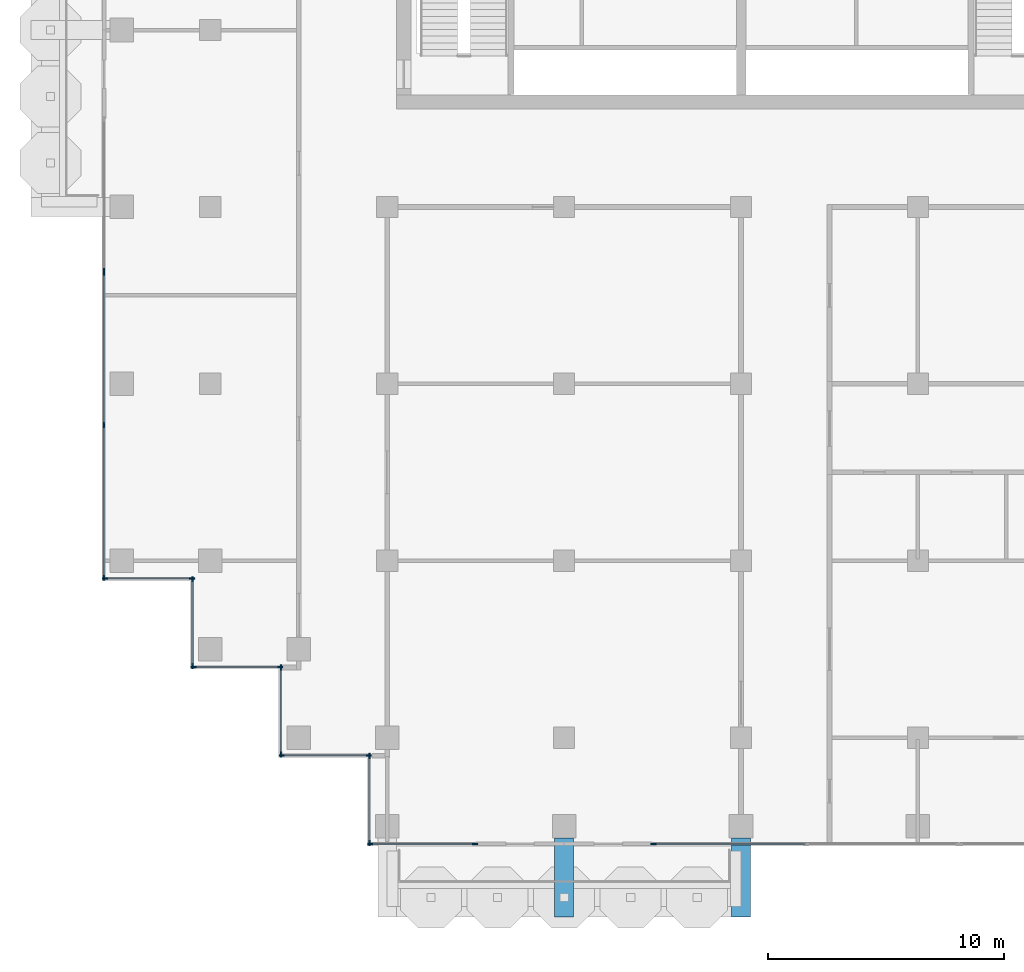
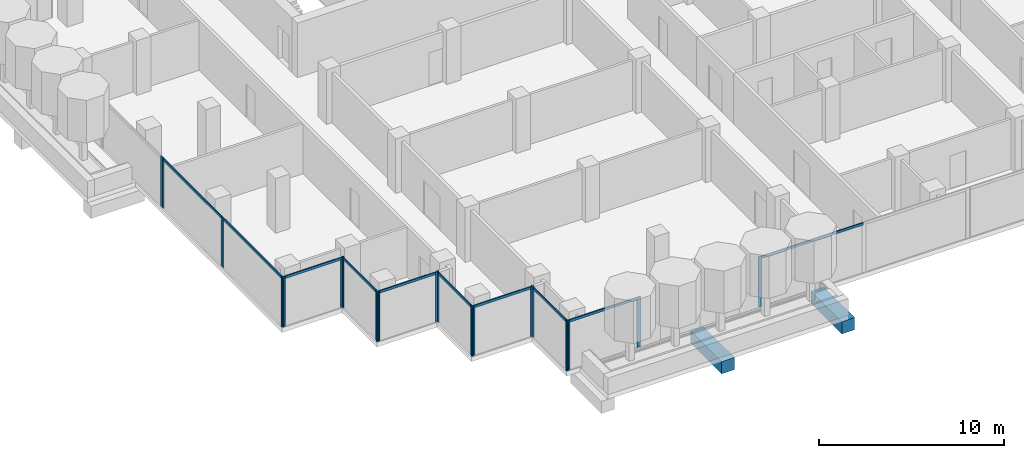
# One storey, part 2 of 18: 29 members, 2 beams, 10 elements without a shape of their own.
"""IFC4 building model written with IfcOpenShell, lengths in metres."""

from ifc_helpers import new_model, si_unit, direction, frame, origin, origin_2d, place, context, subcontext, project, spatial, rectangle, extrude, material, material_profile, profile_set, type_object, element, aggregate, save


model = new_model("IFC4")

# Units and contexts
model_context = context("Model", 3, precision=1e-05, world=origin(), true_north=direction((0.0, 1.0)))
body_context = subcontext(model_context, "Body", "Model", "MODEL_VIEW")
ifc_project = project(units=[si_unit("LENGTHUNIT", "METRE"), si_unit("AREAUNIT", "SQUARE_METRE"), si_unit("VOLUMEUNIT", "CUBIC_METRE"), si_unit("PLANEANGLEUNIT", "RADIAN"), si_unit("MASSUNIT", "GRAM", prefix="KILO")], contexts=[model_context])

# Site, building, storey
site_placement = place(None, origin())
site = spatial("IfcSite", under=ifc_project, at=site_placement, CompositionType="ELEMENT")
building_placement = place(site_placement, origin())
building = spatial("IfcBuilding", under=site, at=building_placement, Name="Pilkhan Gate Tower", CompositionType="ELEMENT")
storey_placement = place(building_placement, frame((0.0, 0.0, 221.10009765625)))
storey = spatial("IfcBuildingStorey", under=building, at=storey_placement, Name="L57", CompositionType="ELEMENT", Elevation=221.10009765625)

# Beams
ifc_material_1 = material(Name="Concrete C50/60", Category="concrete")
ifc_material_profile_1 = material_profile(ifc_material_1, rectangle(XDim=0.800048828125, YDim=0.800048828125, at=origin_2d()), Name="RC 800x800")
ifc_profile_set_1 = profile_set([ifc_material_profile_1], Name="Concrete C50/60")
beam_type = type_object("IfcBeamType", Name="Cantilever beam CB2 RC 800x800 C50/60", PredefinedType="BEAM", material=ifc_profile_set_1)
for number, where, z_axis, x_axis, name in (
    (1, (67.5, 40.75, -0.7001953125), (0.0, -1.0, 0.0), (1.0, 0.0, 0.0), "Balcony beam S.2 L57"),
    (2, (75.0, 40.75, -0.7001953125), (0.0, -1.0, 0.0), (1.0, 0.0, 0.0), "Balcony beam S.3 L57"),
):
    element("IfcBeam", number, at=place(storey_placement, frame(where, z_axis=z_axis, x_axis=x_axis)), inside=storey, type_object=beam_type, Name=name, PredefinedType="BEAM", context=body_context, shape_type="SweptSolid", body=[
        extrude(rectangle(XDim=0.800048828125, YDim=0.800048828125, at=origin_2d()), origin(), (0.0, 0.0, 1.0), 3.35009765625),
    ])

# Curtain wall, members
ifc_material_2 = material(Name="Pale anodised aluminium, clear low-iron double glazing", Category="aluminium")
curtain_wall_type = type_object("IfcCurtainWallType", Name="Office unitised curtain wall CW-O2", PredefinedType="USERDEFINED", material=ifc_material_2)
curtain_wall_1_placement = place(storey_placement, origin())
curtain_wall_1 = element("IfcCurtainWall", 3, at=curtain_wall_1_placement, inside=storey, type_object=curtain_wall_type, Name="Office unitised curtain wall CW-O2 L57 W", ObjectType="UNITISED CURTAIN WALL", PredefinedType="USERDEFINED")
ifc_material_3 = material(Name="Pale anodised aluminium", Category="aluminium")
ifc_material_profile_2 = material_profile(ifc_material_3, rectangle(XDim=0.06494140625, YDim=0.22509765625, at=origin_2d()), Name="Mullion 225x65")
ifc_profile_set_2 = profile_set([ifc_material_profile_2], Name="Pale anodised aluminium")
member_type_1 = type_object("IfcMemberType", Name="Mullion CW-O2 225x65", PredefinedType="MULLION", material=ifc_profile_set_2)
member_1_placement = place(storey_placement, frame((48.0, 51.782470703125, 0.0), z_axis=(0.0, 0.0, 1.0), x_axis=(-1.0, 0.0, 0.0)))
member_1 = element("IfcMember", 4, at=member_1_placement, type_object=member_type_1, Name="CW-O2 mullion 1", PredefinedType="MULLION", context=body_context, shape_type="SweptSolid", body=[
    extrude(rectangle(XDim=0.06494140625, YDim=0.22509765625, at=origin_2d()), origin(), (0.0, 0.0, 1.0), 3.2998046875),
])
member_2_placement = place(storey_placement, frame((48.0, 58.25, 0.0), z_axis=(0.0, 0.0, 1.0), x_axis=(-1.0, 0.0, 0.0)))
member_2 = element("IfcMember", 5, at=member_2_placement, type_object=member_type_1, Name="CW-O2 mullion 2", PredefinedType="MULLION", context=body_context, shape_type="SweptSolid", body=[
    extrude(rectangle(XDim=0.06494140625, YDim=0.22509765625, at=origin_2d()), origin(), (0.0, 0.0, 1.0), 3.2998046875),
])
member_3_placement = place(storey_placement, frame((48.0, 64.717529296875, 0.0), z_axis=(0.0, 0.0, 1.0), x_axis=(-1.0, 0.0, 0.0)))
member_3 = element("IfcMember", 6, at=member_3_placement, type_object=member_type_1, Name="CW-O2 mullion 3", PredefinedType="MULLION", context=body_context, shape_type="SweptSolid", body=[
    extrude(rectangle(XDim=0.06494140625, YDim=0.22509765625, at=origin_2d()), origin(), (0.0, 0.0, 1.0), 3.2998046875),
])

# Curtain wall, member
curtain_wall_2_placement = place(storey_placement, origin())
curtain_wall_2 = element("IfcCurtainWall", 7, at=curtain_wall_2_placement, inside=storey, type_object=curtain_wall_type, Name="Office unitised curtain wall CW-O2 L57 W", ObjectType="UNITISED CURTAIN WALL", PredefinedType="USERDEFINED")
member_4_placement = place(storey_placement, frame((48.0, 64.782470703125, 0.0), z_axis=(0.0, 0.0, 1.0), x_axis=(-1.0, 0.0, 0.0)))
member_4 = element("IfcMember", 8, at=member_4_placement, type_object=member_type_1, Name="CW-O2 mullion 1", PredefinedType="MULLION", context=body_context, shape_type="SweptSolid", body=[
    extrude(rectangle(XDim=0.06494140625, YDim=0.22509765625, at=origin_2d()), origin(), (0.0, 0.0, 1.0), 3.2998046875),
])
aggregate(curtain_wall_2, [member_4])

# Curtain wall, members
curtain_wall_3_placement = place(storey_placement, origin())
curtain_wall_3 = element("IfcCurtainWall", 9, at=curtain_wall_3_placement, inside=storey, type_object=curtain_wall_type, Name="Office unitised curtain wall CW-O2 L57 S", ObjectType="UNITISED CURTAIN WALL", PredefinedType="USERDEFINED")
member_5_placement = place(storey_placement, frame((48.032470703125, 51.75, 0.0), z_axis=(0.0, 0.0, 1.0), x_axis=(0.0, 1.0, 0.0)))
member_5 = element("IfcMember", 10, at=member_5_placement, type_object=member_type_1, Name="CW-O2 mullion 1", PredefinedType="MULLION", context=body_context, shape_type="SweptSolid", body=[
    extrude(rectangle(XDim=0.06494140625, YDim=0.22509765625, at=origin_2d()), origin(), (0.0, 0.0, 1.0), 3.2998046875),
])
member_6_placement = place(storey_placement, frame((51.717529296875, 51.75, 0.0), z_axis=(0.0, 0.0, 1.0), x_axis=(0.0, 1.0, 0.0)))
member_6 = element("IfcMember", 11, at=member_6_placement, type_object=member_type_1, Name="CW-O2 mullion 2", PredefinedType="MULLION", context=body_context, shape_type="SweptSolid", body=[
    extrude(rectangle(XDim=0.06494140625, YDim=0.22509765625, at=origin_2d()), origin(), (0.0, 0.0, 1.0), 3.2998046875),
])

curtain_wall_4_placement = place(storey_placement, origin())
curtain_wall_4 = element("IfcCurtainWall", 12, at=curtain_wall_4_placement, inside=storey, type_object=curtain_wall_type, Name="Office unitised curtain wall CW-O2 L57 W", ObjectType="UNITISED CURTAIN WALL", PredefinedType="USERDEFINED")
member_7_placement = place(storey_placement, frame((51.75, 48.032470703125, 0.0), z_axis=(0.0, 0.0, 1.0), x_axis=(-1.0, 0.0, 0.0)))
member_7 = element("IfcMember", 13, at=member_7_placement, type_object=member_type_1, Name="CW-O2 mullion 1", PredefinedType="MULLION", context=body_context, shape_type="SweptSolid", body=[
    extrude(rectangle(XDim=0.06494140625, YDim=0.22509765625, at=origin_2d()), origin(), (0.0, 0.0, 1.0), 3.2998046875),
])
member_8_placement = place(storey_placement, frame((51.75, 51.717529296875, 0.0), z_axis=(0.0, 0.0, 1.0), x_axis=(-1.0, 0.0, 0.0)))
member_8 = element("IfcMember", 14, at=member_8_placement, type_object=member_type_1, Name="CW-O2 mullion 2", PredefinedType="MULLION", context=body_context, shape_type="SweptSolid", body=[
    extrude(rectangle(XDim=0.06494140625, YDim=0.22509765625, at=origin_2d()), origin(), (0.0, 0.0, 1.0), 3.2998046875),
])

curtain_wall_5_placement = place(storey_placement, origin())
curtain_wall_5 = element("IfcCurtainWall", 15, at=curtain_wall_5_placement, inside=storey, type_object=curtain_wall_type, Name="Office unitised curtain wall CW-O2 L57 S", ObjectType="UNITISED CURTAIN WALL", PredefinedType="USERDEFINED")
member_9_placement = place(storey_placement, frame((51.782470703125, 48.0, 0.0), z_axis=(0.0, 0.0, 1.0), x_axis=(0.0, 1.0, 0.0)))
member_9 = element("IfcMember", 16, at=member_9_placement, type_object=member_type_1, Name="CW-O2 mullion 1", PredefinedType="MULLION", context=body_context, shape_type="SweptSolid", body=[
    extrude(rectangle(XDim=0.06494140625, YDim=0.22509765625, at=origin_2d()), origin(), (0.0, 0.0, 1.0), 3.2998046875),
])
member_10_placement = place(storey_placement, frame((55.467529296875, 48.0, 0.0), z_axis=(0.0, 0.0, 1.0), x_axis=(0.0, 1.0, 0.0)))
member_10 = element("IfcMember", 17, at=member_10_placement, type_object=member_type_1, Name="CW-O2 mullion 2", PredefinedType="MULLION", context=body_context, shape_type="SweptSolid", body=[
    extrude(rectangle(XDim=0.06494140625, YDim=0.22509765625, at=origin_2d()), origin(), (0.0, 0.0, 1.0), 3.2998046875),
])

curtain_wall_6_placement = place(storey_placement, origin())
curtain_wall_6 = element("IfcCurtainWall", 18, at=curtain_wall_6_placement, inside=storey, type_object=curtain_wall_type, Name="Office unitised curtain wall CW-O2 L57 W", ObjectType="UNITISED CURTAIN WALL", PredefinedType="USERDEFINED")
member_11_placement = place(storey_placement, frame((55.5, 44.282470703125, 0.0), z_axis=(0.0, 0.0, 1.0), x_axis=(-1.0, 0.0, 0.0)))
member_11 = element("IfcMember", 19, at=member_11_placement, type_object=member_type_1, Name="CW-O2 mullion 1", PredefinedType="MULLION", context=body_context, shape_type="SweptSolid", body=[
    extrude(rectangle(XDim=0.06494140625, YDim=0.22509765625, at=origin_2d()), origin(), (0.0, 0.0, 1.0), 3.2998046875),
])
member_12_placement = place(storey_placement, frame((55.5, 47.967529296875, 0.0), z_axis=(0.0, 0.0, 1.0), x_axis=(-1.0, 0.0, 0.0)))
member_12 = element("IfcMember", 20, at=member_12_placement, type_object=member_type_1, Name="CW-O2 mullion 2", PredefinedType="MULLION", context=body_context, shape_type="SweptSolid", body=[
    extrude(rectangle(XDim=0.06494140625, YDim=0.22509765625, at=origin_2d()), origin(), (0.0, 0.0, 1.0), 3.2998046875),
])

curtain_wall_7_placement = place(storey_placement, origin())
curtain_wall_7 = element("IfcCurtainWall", 21, at=curtain_wall_7_placement, inside=storey, type_object=curtain_wall_type, Name="Office unitised curtain wall CW-O2 L57 S", ObjectType="UNITISED CURTAIN WALL", PredefinedType="USERDEFINED")
member_13_placement = place(storey_placement, frame((55.532470703125, 44.25, 0.0), z_axis=(0.0, 0.0, 1.0), x_axis=(0.0, 1.0, 0.0)))
member_13 = element("IfcMember", 22, at=member_13_placement, type_object=member_type_1, Name="CW-O2 mullion 1", PredefinedType="MULLION", context=body_context, shape_type="SweptSolid", body=[
    extrude(rectangle(XDim=0.06494140625, YDim=0.22509765625, at=origin_2d()), origin(), (0.0, 0.0, 1.0), 3.2998046875),
])
member_14_placement = place(storey_placement, frame((59.217529296875, 44.25, 0.0), z_axis=(0.0, 0.0, 1.0), x_axis=(0.0, 1.0, 0.0)))
member_14 = element("IfcMember", 23, at=member_14_placement, type_object=member_type_1, Name="CW-O2 mullion 2", PredefinedType="MULLION", context=body_context, shape_type="SweptSolid", body=[
    extrude(rectangle(XDim=0.06494140625, YDim=0.22509765625, at=origin_2d()), origin(), (0.0, 0.0, 1.0), 3.2998046875),
])

curtain_wall_8_placement = place(storey_placement, origin())
curtain_wall_8 = element("IfcCurtainWall", 24, at=curtain_wall_8_placement, inside=storey, type_object=curtain_wall_type, Name="Office unitised curtain wall CW-O2 L57 W", ObjectType="UNITISED CURTAIN WALL", PredefinedType="USERDEFINED")
member_15_placement = place(storey_placement, frame((59.25, 40.532470703125, 0.0), z_axis=(0.0, 0.0, 1.0), x_axis=(-1.0, 0.0, 0.0)))
member_15 = element("IfcMember", 25, at=member_15_placement, type_object=member_type_1, Name="CW-O2 mullion 1", PredefinedType="MULLION", context=body_context, shape_type="SweptSolid", body=[
    extrude(rectangle(XDim=0.06494140625, YDim=0.22509765625, at=origin_2d()), origin(), (0.0, 0.0, 1.0), 3.2998046875),
])
member_16_placement = place(storey_placement, frame((59.25, 44.217529296875, 0.0), z_axis=(0.0, 0.0, 1.0), x_axis=(-1.0, 0.0, 0.0)))
member_16 = element("IfcMember", 26, at=member_16_placement, type_object=member_type_1, Name="CW-O2 mullion 2", PredefinedType="MULLION", context=body_context, shape_type="SweptSolid", body=[
    extrude(rectangle(XDim=0.06494140625, YDim=0.22509765625, at=origin_2d()), origin(), (0.0, 0.0, 1.0), 3.2998046875),
])

curtain_wall_9_placement = place(storey_placement, origin())
curtain_wall_9 = element("IfcCurtainWall", 27, at=curtain_wall_9_placement, inside=storey, type_object=curtain_wall_type, Name="Office unitised curtain wall CW-O2 L57 S", ObjectType="UNITISED CURTAIN WALL", PredefinedType="USERDEFINED")
member_17_placement = place(storey_placement, frame((59.282470703125, 40.5, 0.0), z_axis=(0.0, 0.0, 1.0), x_axis=(0.0, 1.0, 0.0)))
member_17 = element("IfcMember", 28, at=member_17_placement, type_object=member_type_1, Name="CW-O2 mullion 1", PredefinedType="MULLION", context=body_context, shape_type="SweptSolid", body=[
    extrude(rectangle(XDim=0.06494140625, YDim=0.22509765625, at=origin_2d()), origin(), (0.0, 0.0, 1.0), 3.2998046875),
])
member_18_placement = place(storey_placement, frame((63.717529296875, 40.5, 0.0), z_axis=(0.0, 0.0, 1.0), x_axis=(0.0, 1.0, 0.0)))
member_18 = element("IfcMember", 29, at=member_18_placement, type_object=member_type_1, Name="CW-O2 mullion 2", PredefinedType="MULLION", context=body_context, shape_type="SweptSolid", body=[
    extrude(rectangle(XDim=0.06494140625, YDim=0.22509765625, at=origin_2d()), origin(), (0.0, 0.0, 1.0), 3.2998046875),
])

# Curtain wall, member
curtain_wall_10_placement = place(storey_placement, origin())
curtain_wall_10 = element("IfcCurtainWall", 30, at=curtain_wall_10_placement, inside=storey, type_object=curtain_wall_type, Name="Office unitised curtain wall CW-O2 L57 S", ObjectType="UNITISED CURTAIN WALL", PredefinedType="USERDEFINED")
member_19_placement = place(storey_placement, frame((71.282470703125, 40.5, 0.0), z_axis=(0.0, 0.0, 1.0), x_axis=(0.0, 1.0, 0.0)))
member_19 = element("IfcMember", 31, at=member_19_placement, type_object=member_type_1, Name="CW-O2 mullion 1", PredefinedType="MULLION", context=body_context, shape_type="SweptSolid", body=[
    extrude(rectangle(XDim=0.06494140625, YDim=0.22509765625, at=origin_2d()), origin(), (0.0, 0.0, 1.0), 3.2998046875),
])

# Member
ifc_material_profile_3 = material_profile(ifc_material_3, rectangle(XDim=0.06494140625, YDim=0.1650390625, at=origin_2d()), Name="Transom 165x65")
ifc_profile_set_3 = profile_set([ifc_material_profile_3], Name="Pale anodised aluminium")
member_type_2 = type_object("IfcMemberType", Name="Transom CW-O2 165x65", PredefinedType="USERDEFINED", material=ifc_profile_set_3)
member_20_placement = place(storey_placement, frame((48.0, 51.81494140625, 3.21728515625), z_axis=(0.0, 1.0, 0.0), x_axis=(-1.0, 0.0, 0.0)))
member_20 = element("IfcMember", 32, at=member_20_placement, type_object=member_type_2, Name="CW-O2 transom 1", ObjectType="TRANSOM", PredefinedType="USERDEFINED", context=body_context, shape_type="SweptSolid", body=[
    extrude(rectangle(XDim=0.06494140625, YDim=0.1650390625, at=origin_2d()), origin(), (0.0, 0.0, 1.0), 6.402587890625),
])

member_21_placement = place(storey_placement, frame((48.0, 58.282470703125, 3.21728515625), z_axis=(0.0, 1.0, 0.0), x_axis=(-1.0, 0.0, 0.0)))
member_21 = element("IfcMember", 33, at=member_21_placement, type_object=member_type_2, Name="CW-O2 transom 2", ObjectType="TRANSOM", PredefinedType="USERDEFINED", context=body_context, shape_type="SweptSolid", body=[
    extrude(rectangle(XDim=0.06494140625, YDim=0.1650390625, at=origin_2d()), origin(), (0.0, 0.0, 1.0), 6.402587890625),
])

aggregate(curtain_wall_1, [member_1, member_2, member_3, member_20, member_21])

member_22_placement = place(storey_placement, frame((48.06494140625, 51.75, 3.21728515625), z_axis=(1.0, 0.0, 0.0), x_axis=(0.0, 1.0, 0.0)))
member_22 = element("IfcMember", 34, at=member_22_placement, type_object=member_type_2, Name="CW-O2 transom 1", ObjectType="TRANSOM", PredefinedType="USERDEFINED", context=body_context, shape_type="SweptSolid", body=[
    extrude(rectangle(XDim=0.06494140625, YDim=0.1650390625, at=origin_2d()), origin(), (0.0, 0.0, 1.0), 3.6201171875),
])

aggregate(curtain_wall_3, [member_5, member_6, member_22])

member_23_placement = place(storey_placement, frame((51.75, 48.06494140625, 3.21728515625), z_axis=(0.0, 1.0, 0.0), x_axis=(-1.0, 0.0, 0.0)))
member_23 = element("IfcMember", 35, at=member_23_placement, type_object=member_type_2, Name="CW-O2 transom 1", ObjectType="TRANSOM", PredefinedType="USERDEFINED", context=body_context, shape_type="SweptSolid", body=[
    extrude(rectangle(XDim=0.06494140625, YDim=0.1650390625, at=origin_2d()), origin(), (0.0, 0.0, 1.0), 3.6201171875),
])

aggregate(curtain_wall_4, [member_7, member_8, member_23])

member_24_placement = place(storey_placement, frame((51.81494140625, 48.0, 3.21728515625), z_axis=(1.0, 0.0, 0.0), x_axis=(0.0, 1.0, 0.0)))
member_24 = element("IfcMember", 36, at=member_24_placement, type_object=member_type_2, Name="CW-O2 transom 1", ObjectType="TRANSOM", PredefinedType="USERDEFINED", context=body_context, shape_type="SweptSolid", body=[
    extrude(rectangle(XDim=0.06494140625, YDim=0.1650390625, at=origin_2d()), origin(), (0.0, 0.0, 1.0), 3.6201171875),
])

aggregate(curtain_wall_5, [member_9, member_10, member_24])

member_25_placement = place(storey_placement, frame((55.5, 44.31494140625, 3.21728515625), z_axis=(0.0, 1.0, 0.0), x_axis=(-1.0, 0.0, 0.0)))
member_25 = element("IfcMember", 37, at=member_25_placement, type_object=member_type_2, Name="CW-O2 transom 1", ObjectType="TRANSOM", PredefinedType="USERDEFINED", context=body_context, shape_type="SweptSolid", body=[
    extrude(rectangle(XDim=0.06494140625, YDim=0.1650390625, at=origin_2d()), origin(), (0.0, 0.0, 1.0), 3.6201171875),
])

aggregate(curtain_wall_6, [member_11, member_12, member_25])

member_26_placement = place(storey_placement, frame((55.56494140625, 44.25, 3.21728515625), z_axis=(1.0, 0.0, 0.0), x_axis=(0.0, 1.0, 0.0)))
member_26 = element("IfcMember", 38, at=member_26_placement, type_object=member_type_2, Name="CW-O2 transom 1", ObjectType="TRANSOM", PredefinedType="USERDEFINED", context=body_context, shape_type="SweptSolid", body=[
    extrude(rectangle(XDim=0.06494140625, YDim=0.1650390625, at=origin_2d()), origin(), (0.0, 0.0, 1.0), 3.6201171875),
])

aggregate(curtain_wall_7, [member_13, member_14, member_26])

member_27_placement = place(storey_placement, frame((59.25, 40.56494140625, 3.21728515625), z_axis=(0.0, 1.0, 0.0), x_axis=(-1.0, 0.0, 0.0)))
member_27 = element("IfcMember", 39, at=member_27_placement, type_object=member_type_2, Name="CW-O2 transom 1", ObjectType="TRANSOM", PredefinedType="USERDEFINED", context=body_context, shape_type="SweptSolid", body=[
    extrude(rectangle(XDim=0.06494140625, YDim=0.1650390625, at=origin_2d()), origin(), (0.0, 0.0, 1.0), 3.6201171875),
])

aggregate(curtain_wall_8, [member_15, member_16, member_27])

member_28_placement = place(storey_placement, frame((59.31494140625, 40.5, 3.21728515625), z_axis=(1.0, 0.0, 0.0), x_axis=(0.0, 1.0, 0.0)))
member_28 = element("IfcMember", 40, at=member_28_placement, type_object=member_type_2, Name="CW-O2 transom 1", ObjectType="TRANSOM", PredefinedType="USERDEFINED", context=body_context, shape_type="SweptSolid", body=[
    extrude(rectangle(XDim=0.06494140625, YDim=0.1650390625, at=origin_2d()), origin(), (0.0, 0.0, 1.0), 4.3701171875),
])

aggregate(curtain_wall_9, [member_17, member_18, member_28])

member_29_placement = place(storey_placement, frame((71.31494140625, 40.5, 3.21728515625), z_axis=(1.0, 0.0, 0.0), x_axis=(0.0, 1.0, 0.0)))
member_29 = element("IfcMember", 41, at=member_29_placement, type_object=member_type_2, Name="CW-O2 transom 1", ObjectType="TRANSOM", PredefinedType="USERDEFINED", context=body_context, shape_type="SweptSolid", body=[
    extrude(rectangle(XDim=0.06494140625, YDim=0.1650390625, at=origin_2d()), origin(), (0.0, 0.0, 1.0), 6.402587890625),
])

aggregate(curtain_wall_10, [member_19, member_29])

save(model, "model.ifc")
